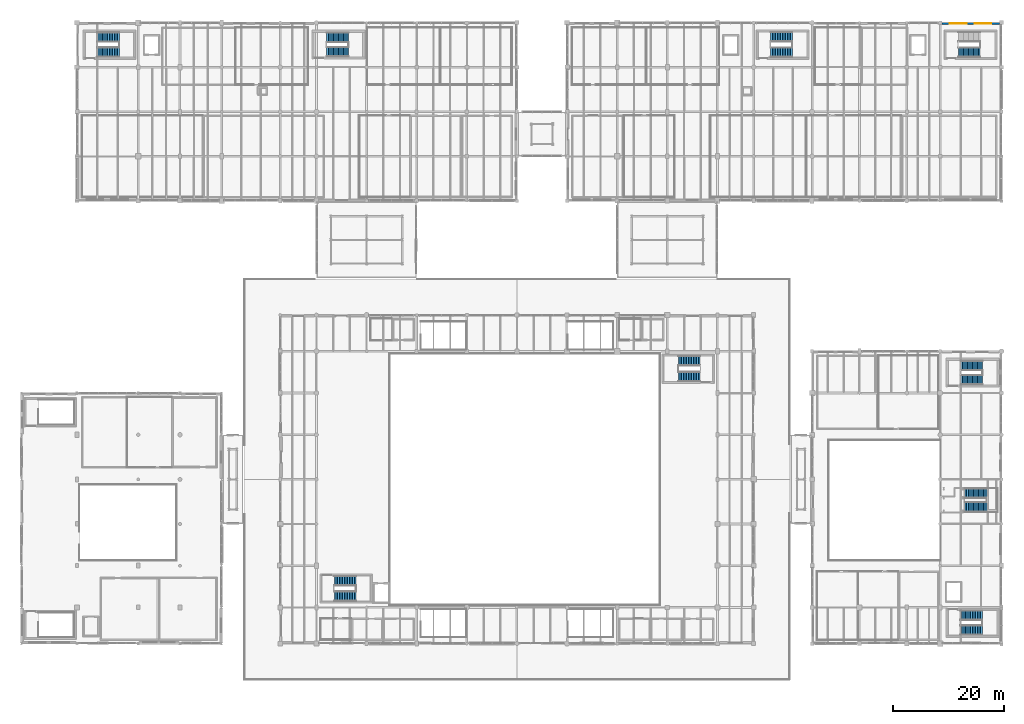
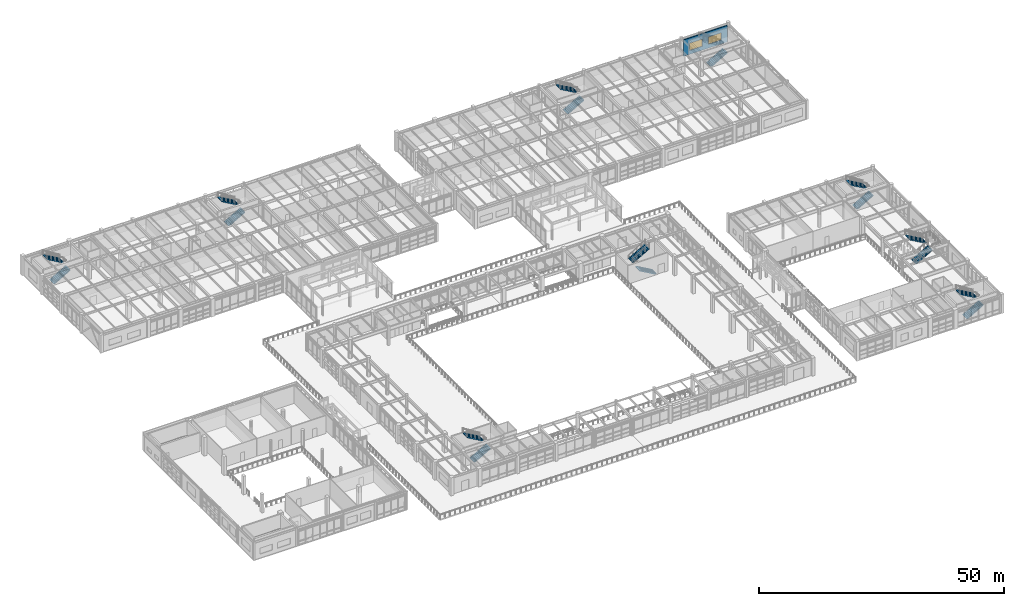
# One storey, part 182 of 200: 17 stair flights, 2 windows, 1 wall, 2 openings, 9 elements without a shape of their own.
"""IFC4 building model written with IfcOpenShell, lengths in metres."""

from ifc_helpers import new_model, si_unit, direction, frame, frame_2d, origin, place, context, subcontext, project, spatial, polyline, rectangle, outline, extrude, material, layer, layer_set, type_object, element, fill, aggregate, save


model = new_model("IFC4")

# Units and contexts
model_context = context("Model", 3, precision=1e-05, world=origin(), true_north=direction((0.0, 1.0)))
body_context = subcontext(model_context, "Body", "Model", "MODEL_VIEW")
ifc_project = project(units=[si_unit("LENGTHUNIT", "METRE"), si_unit("AREAUNIT", "SQUARE_METRE"), si_unit("VOLUMEUNIT", "CUBIC_METRE"), si_unit("PLANEANGLEUNIT", "RADIAN"), si_unit("MASSUNIT", "GRAM", prefix="KILO"), si_unit("THERMODYNAMICTEMPERATUREUNIT", "KELVIN"), si_unit("POWERUNIT", "WATT")], contexts=[model_context])

# Site, building, storey
site_placement = place(None, origin())
site = spatial("IfcSite", under=ifc_project, at=site_placement, CompositionType="ELEMENT")
building_placement = place(site_placement, origin())
building = spatial("IfcBuilding", under=site, at=building_placement, Name="Tepalcoro Natatorium and Aquatics Centre", CompositionType="ELEMENT")
storey_placement = place(building_placement, frame((0.0, 0.0, 5.39990234375)))
storey = spatial("IfcBuildingStorey", under=building, at=storey_placement, Name="L01", CompositionType="ELEMENT", Elevation=5.39990234375)

# Wall, openings, windows
ifc_material_1 = material(Name="Jalisco Cantera Rosa Volcanic Tuff Ashlar Masonry", Category="masonry")
ifc_layer_1 = layer(ifc_material_1, 0.304931640625)
ifc_layer_set_1 = layer_set([ifc_layer_1], Name="Jalisco Cantera Rosa Volcanic Tuff Ashlar Masonry")
wall_type = type_object("IfcWallType", Name="WL_EXT_TERRACOTTA_300", PredefinedType="SOLIDWALL", material=ifc_layer_set_1)
wall_placement = place(storey_placement, frame((165.303955078125, 117.847412109375, 0.0), z_axis=(0.0, 0.0, 1.0), x_axis=(1.0, 0.0, 0.0)))
wall = element("IfcWall", 1, at=wall_placement, inside=storey, type_object=wall_type, Name="V5 L01 N Volcanic Basalt Envelope Wall", PredefinedType="SOLIDWALL", context=body_context, shape_type="SweptSolid", body=[
    extrude(rectangle(XDim=10.342041015625, YDim=0.304931640625, at=frame_2d((5.1708984375, 0.0))), origin(), (0.0, 0.0, 1.0), 4.070068359375),
])
opening_1_placement = place(wall_placement, frame((1.447265625, 0.0, 0.949951171875)))
opening_1 = element("IfcOpeningElement", 2, at=opening_1_placement, cuts=wall, Name="Opening W0094A", PredefinedType="OPENING", context=body_context, shape_type="SweptSolid", body=[
    extrude(rectangle(XDim=3.0, YDim=1.800048828125, at=frame_2d((1.5, 0.89990234375))), frame((0.0, 0.16455078125, 0.0), z_axis=(0.0, -1.0, 0.0), x_axis=(1.0, 0.0, 0.0)), (0.0, 0.0, 1.0), 0.328857421875),
])
opening_2_placement = place(wall_placement, frame((5.894775390625, 0.0, 0.949951171875)))
opening_2 = element("IfcOpeningElement", 3, at=opening_2_placement, cuts=wall, Name="Opening W0094B", PredefinedType="OPENING", context=body_context, shape_type="SweptSolid", body=[
    extrude(rectangle(XDim=3.0, YDim=1.800048828125, at=frame_2d((1.5, 0.89990234375))), frame((0.0, 0.16455078125, 0.0), z_axis=(0.0, -1.0, 0.0), x_axis=(1.0, 0.0, 0.0)), (0.0, 0.0, 1.0), 0.328857421875),
])
ifc_material_2 = material(Name="Solar-Control Bronze Tempered Low-E Double Glazing", Category="glass")
window_type = type_object("IfcWindowType", Name="WN_300x180", PartitioningType="SINGLE_PANEL", PredefinedType="WINDOW", material=ifc_material_2)
window_1_placement = place(opening_1_placement, origin())
window_1 = element("IfcWindow", 4, at=window_1_placement, inside=storey, type_object=window_type, Name="Exterior Thermal Window WN_300x180", OverallHeight=1.800048828125, OverallWidth=3.0, PartitioningType="SINGLE_PANEL", PredefinedType="WINDOW", context=body_context, shape_type="SweptSolid", body=[
    extrude(rectangle(XDim=3.0, YDim=1.800048828125, at=frame_2d((1.5, 0.89990234375))), frame((0.0, 0.030029296875, 0.0), z_axis=(0.0, -1.0, 0.0), x_axis=(1.0, 0.0, 0.0)), (0.0, 0.0, 1.0), 0.06005859375),
])
fill(opening_1, window_1)
window_2_placement = place(opening_2_placement, origin())
window_2 = element("IfcWindow", 5, at=window_2_placement, inside=storey, type_object=window_type, Name="Exterior Thermal Window WN_300x180", OverallHeight=1.800048828125, OverallWidth=3.0, PartitioningType="SINGLE_PANEL", PredefinedType="WINDOW", context=body_context, shape_type="SweptSolid", body=[
    extrude(rectangle(XDim=3.0, YDim=1.800048828125, at=frame_2d((1.5, 0.89990234375))), frame((0.0, 0.030029296875, 0.0), z_axis=(0.0, -1.0, 0.0), x_axis=(1.0, 0.0, 0.0)), (0.0, 0.0, 1.0), 0.06005859375),
])
fill(opening_2, window_2)

# Stair, stair flights
ifc_material_3 = material(Name="Concrete C35/45 (fc 35 MPa)", Category="concrete")
stair_type_1 = type_object("IfcStairType", Name="ST_RC_1800_L03", PredefinedType="HALF_TURN_STAIR", material=ifc_material_3)
stair_1_placement = place(storey_placement, origin())
stair_1 = element("IfcStair", 6, at=stair_1_placement, inside=storey, type_object=stair_type_1, Name="Diving Wing South Fire Stair (L01 to L02)", PredefinedType="HALF_TURN_STAIR")
ifc_layer_2 = layer(ifc_material_3, 0.199951171875)
ifc_layer_set_2 = layer_set([ifc_layer_2], Name="Concrete C35/45 (fc 35 MPa)")
stair_flight_type_1 = type_object("IfcStairFlightType", Name="SF_RC_1800_B1", PredefinedType="STRAIGHT", material=ifc_layer_set_2)
stair_flight_1_placement = place(storey_placement, frame((168.64990234375, 8.889892578125, 0.0), z_axis=(0.0, 0.0, 1.0), x_axis=(1.0, 0.0, 0.0)))
stair_flight_1 = element("IfcStairFlight", 7, at=stair_flight_1_placement, type_object=stair_flight_type_1, Name="Diving Wing South Fire Stair (L01 to L02) Flight 1", NumberOfRisers=14, NumberOfTreads=13, PredefinedType="STRAIGHT", RiserHeight=0.171429, TreadLength=0.3, context=body_context, shape_type="SweptSolid", body=[
    extrude(outline(polyline([(0.0, 0.0), (0.0, 0.17138671875), (0.300048828125, 0.17138671875), (0.300048828125, 0.3427734375), (0.60009765625, 0.3427734375), (0.60009765625, 0.514404296875), (0.89990234375, 0.514404296875), (0.89990234375, 0.685791015625), (1.199951171875, 0.685791015625), (1.199951171875, 0.857177734375), (1.5, 0.857177734375), (1.5, 1.028564453125), (1.800048828125, 1.028564453125), (1.800048828125, 1.199951171875), (2.10009765625, 1.199951171875), (2.10009765625, 1.371337890625), (2.39990234375, 1.371337890625), (2.39990234375, 1.54296875), (2.699951171875, 1.54296875), (2.699951171875, 1.71435546875), (3.0, 1.71435546875), (3.0, 1.8857421875), (3.300048828125, 1.8857421875), (3.300048828125, 2.05712890625), (3.60009765625, 2.05712890625), (3.60009765625, 2.228515625), (3.89990234375, 2.228515625), (3.89990234375, 2.39990234375), (3.89990234375, 1.998291015625), (0.403076171875, 0.0), (0.0, 0.0)])), frame((0.0, 0.89990234375, 0.0), z_axis=(0.0, -1.0, 0.0), x_axis=(1.0, 0.0, 0.0)), (0.0, 0.0, 1.0), 1.800048828125),
])
stair_flight_2_placement = place(storey_placement, frame((172.550048828125, 11.610107421875, 2.400146484375), z_axis=(0.0, 0.0, 1.0), x_axis=(-1.0, 0.0, 0.0)))
stair_flight_2 = element("IfcStairFlight", 8, at=stair_flight_2_placement, type_object=stair_flight_type_1, Name="Diving Wing South Fire Stair (L01 to L02) Flight 2", NumberOfRisers=14, NumberOfTreads=13, PredefinedType="STRAIGHT", RiserHeight=0.171429, TreadLength=0.3, context=body_context, shape_type="SweptSolid", body=[
    extrude(outline(polyline([(0.0, 0.0), (0.0, 0.17138671875), (0.300048828125, 0.17138671875), (0.300048828125, 0.3427734375), (0.60009765625, 0.3427734375), (0.60009765625, 0.514404296875), (0.89990234375, 0.514404296875), (0.89990234375, 0.685791015625), (1.199951171875, 0.685791015625), (1.199951171875, 0.857177734375), (1.5, 0.857177734375), (1.5, 1.028564453125), (1.800048828125, 1.028564453125), (1.800048828125, 1.199951171875), (2.10009765625, 1.199951171875), (2.10009765625, 1.371337890625), (2.39990234375, 1.371337890625), (2.39990234375, 1.54296875), (2.699951171875, 1.54296875), (2.699951171875, 1.71435546875), (3.0, 1.71435546875), (3.0, 1.8857421875), (3.300048828125, 1.8857421875), (3.300048828125, 2.05712890625), (3.60009765625, 2.05712890625), (3.60009765625, 2.228515625), (3.89990234375, 2.228515625), (3.89990234375, 2.39990234375), (3.89990234375, 1.998291015625), (0.403076171875, 0.0), (0.0, 0.0)])), frame((0.0, 0.89990234375, 0.0), z_axis=(0.0, -1.0, 0.0), x_axis=(1.0, 0.0, 0.0)), (0.0, 0.0, 1.0), 1.800048828125),
])
aggregate(stair_1, [stair_flight_1, stair_flight_2])

stair_type_2 = type_object("IfcStairType", Name="ST_RC_1800_L02", PredefinedType="HALF_TURN_STAIR", material=ifc_material_3)
stair_2_placement = place(storey_placement, origin())
stair_2 = element("IfcStair", 9, at=stair_2_placement, inside=storey, type_object=stair_type_2, Name="Training Wing West Fire Stair (L01 to L02)", PredefinedType="HALF_TURN_STAIR")
stair_flight_3_placement = place(storey_placement, frame((13.699951171875, 112.68994140625, 0.0), z_axis=(0.0, 0.0, 1.0), x_axis=(1.0, 0.0, 0.0)))
stair_flight_3 = element("IfcStairFlight", 10, at=stair_flight_3_placement, type_object=stair_flight_type_1, Name="Training Wing West Fire Stair (L01 to L02) Flight 1", NumberOfRisers=14, NumberOfTreads=13, PredefinedType="STRAIGHT", RiserHeight=0.171429, TreadLength=0.3, context=body_context, shape_type="SweptSolid", body=[
    extrude(outline(polyline([(0.0, 0.0), (0.0, 0.17138671875), (0.300048828125, 0.17138671875), (0.300048828125, 0.3427734375), (0.60009765625, 0.3427734375), (0.60009765625, 0.514404296875), (0.89990234375, 0.514404296875), (0.89990234375, 0.685791015625), (1.199951171875, 0.685791015625), (1.199951171875, 0.857177734375), (1.5, 0.857177734375), (1.5, 1.028564453125), (1.800048828125, 1.028564453125), (1.800048828125, 1.199951171875), (2.10009765625, 1.199951171875), (2.10009765625, 1.371337890625), (2.39990234375, 1.371337890625), (2.39990234375, 1.54296875), (2.699951171875, 1.54296875), (2.699951171875, 1.71435546875), (3.0, 1.71435546875), (3.0, 1.8857421875), (3.300048828125, 1.8857421875), (3.300048828125, 2.05712890625), (3.60009765625, 2.05712890625), (3.60009765625, 2.228515625), (3.89990234375, 2.228515625), (3.89990234375, 2.39990234375), (3.89990234375, 1.998291015625), (0.403076171875, 0.0), (0.0, 0.0)])), frame((0.0, 0.89990234375, 0.0), z_axis=(0.0, -1.0, 0.0), x_axis=(1.0, 0.0, 0.0)), (0.0, 0.0, 1.0), 1.800048828125),
])
stair_flight_4_placement = place(storey_placement, frame((17.60009765625, 115.409912109375, 2.400146484375), z_axis=(0.0, 0.0, 1.0), x_axis=(-1.0, 0.0, 0.0)))
stair_flight_4 = element("IfcStairFlight", 11, at=stair_flight_4_placement, type_object=stair_flight_type_1, Name="Training Wing West Fire Stair (L01 to L02) Flight 2", NumberOfRisers=14, NumberOfTreads=13, PredefinedType="STRAIGHT", RiserHeight=0.171429, TreadLength=0.3, context=body_context, shape_type="SweptSolid", body=[
    extrude(outline(polyline([(0.0, 0.0), (0.0, 0.17138671875), (0.300048828125, 0.17138671875), (0.300048828125, 0.3427734375), (0.60009765625, 0.3427734375), (0.60009765625, 0.514404296875), (0.89990234375, 0.514404296875), (0.89990234375, 0.685791015625), (1.199951171875, 0.685791015625), (1.199951171875, 0.857177734375), (1.5, 0.857177734375), (1.5, 1.028564453125), (1.800048828125, 1.028564453125), (1.800048828125, 1.199951171875), (2.10009765625, 1.199951171875), (2.10009765625, 1.371337890625), (2.39990234375, 1.371337890625), (2.39990234375, 1.54296875), (2.699951171875, 1.54296875), (2.699951171875, 1.71435546875), (3.0, 1.71435546875), (3.0, 1.8857421875), (3.300048828125, 1.8857421875), (3.300048828125, 2.05712890625), (3.60009765625, 2.05712890625), (3.60009765625, 2.228515625), (3.89990234375, 2.228515625), (3.89990234375, 2.39990234375), (3.89990234375, 1.998291015625), (0.403076171875, 0.0), (0.0, 0.0)])), frame((0.0, 0.89990234375, 0.0), z_axis=(0.0, -1.0, 0.0), x_axis=(1.0, 0.0, 0.0)), (0.0, 0.0, 1.0), 1.800048828125),
])
aggregate(stair_2, [stair_flight_3, stair_flight_4])

stair_type_3 = type_object("IfcStairType", Name="ST_RC_1800_B1", PredefinedType="HALF_TURN_STAIR", material=ifc_material_3)
stair_3_placement = place(storey_placement, origin())
stair_3 = element("IfcStair", 12, at=stair_3_placement, inside=storey, type_object=stair_type_3, Name="Diving Wing North Fire Stair (L01 to L02)", PredefinedType="HALF_TURN_STAIR")
ifc_layer_3 = layer(ifc_material_3, 0.2099609375)
ifc_layer_set_3 = layer_set([ifc_layer_3], Name="Concrete C35/45 (fc 35 MPa)")
stair_flight_type_2 = type_object("IfcStairFlightType", Name="SF_RC_1800_L00", PredefinedType="STRAIGHT", material=ifc_layer_set_3)
stair_flight_5_placement = place(storey_placement, frame((168.699951171875, 53.840087890625, 0.0), z_axis=(0.0, 0.0, 1.0), x_axis=(1.0, 0.0, 0.0)))
stair_flight_5 = element("IfcStairFlight", 13, at=stair_flight_5_placement, type_object=stair_flight_type_2, Name="Diving Wing North Fire Stair (L01 to L02) Flight 1", NumberOfRisers=14, NumberOfTreads=13, PredefinedType="STRAIGHT", RiserHeight=0.171429, TreadLength=0.3, context=body_context, shape_type="SweptSolid", body=[
    extrude(outline(polyline([(0.0, 0.0), (0.0, 0.17138671875), (0.300048828125, 0.17138671875), (0.300048828125, 0.3427734375), (0.60009765625, 0.3427734375), (0.60009765625, 0.514404296875), (0.89990234375, 0.514404296875), (0.89990234375, 0.685791015625), (1.199951171875, 0.685791015625), (1.199951171875, 0.857177734375), (1.5, 0.857177734375), (1.5, 1.028564453125), (1.800048828125, 1.028564453125), (1.800048828125, 1.199951171875), (2.10009765625, 1.199951171875), (2.10009765625, 1.371337890625), (2.39990234375, 1.371337890625), (2.39990234375, 1.54296875), (2.699951171875, 1.54296875), (2.699951171875, 1.71435546875), (3.0, 1.71435546875), (3.0, 1.8857421875), (3.300048828125, 1.8857421875), (3.300048828125, 2.05712890625), (3.60009765625, 2.05712890625), (3.60009765625, 2.228515625), (3.89990234375, 2.228515625), (3.89990234375, 2.39990234375), (3.89990234375, 1.98681640625), (0.423095703125, 0.0), (0.0, 0.0)])), frame((0.0, 0.89990234375, 0.0), z_axis=(0.0, -1.0, 0.0), x_axis=(1.0, 0.0, 0.0)), (0.0, 0.0, 1.0), 1.800048828125),
])
stair_flight_6_placement = place(storey_placement, frame((172.60009765625, 56.4599609375, 2.400146484375), z_axis=(0.0, 0.0, 1.0), x_axis=(-1.0, 0.0, 0.0)))
stair_flight_6 = element("IfcStairFlight", 14, at=stair_flight_6_placement, type_object=stair_flight_type_2, Name="Diving Wing North Fire Stair (L01 to L02) Flight 2", NumberOfRisers=14, NumberOfTreads=13, PredefinedType="STRAIGHT", RiserHeight=0.171429, TreadLength=0.3, context=body_context, shape_type="SweptSolid", body=[
    extrude(outline(polyline([(0.0, 0.0), (0.0, 0.17138671875), (0.300048828125, 0.17138671875), (0.300048828125, 0.3427734375), (0.60009765625, 0.3427734375), (0.60009765625, 0.514404296875), (0.89990234375, 0.514404296875), (0.89990234375, 0.685791015625), (1.199951171875, 0.685791015625), (1.199951171875, 0.857177734375), (1.5, 0.857177734375), (1.5, 1.028564453125), (1.800048828125, 1.028564453125), (1.800048828125, 1.199951171875), (2.10009765625, 1.199951171875), (2.10009765625, 1.371337890625), (2.39990234375, 1.371337890625), (2.39990234375, 1.54296875), (2.699951171875, 1.54296875), (2.699951171875, 1.71435546875), (3.0, 1.71435546875), (3.0, 1.8857421875), (3.300048828125, 1.8857421875), (3.300048828125, 2.05712890625), (3.60009765625, 2.05712890625), (3.60009765625, 2.228515625), (3.89990234375, 2.228515625), (3.89990234375, 2.39990234375), (3.89990234375, 1.98681640625), (0.423095703125, 0.0), (0.0, 0.0)])), frame((0.0, 0.89990234375, 0.0), z_axis=(0.0, -1.0, 0.0), x_axis=(1.0, 0.0, 0.0)), (0.0, 0.0, 1.0), 1.800048828125),
])
aggregate(stair_3, [stair_flight_5, stair_flight_6])

stair_4_placement = place(storey_placement, origin())
stair_4 = element("IfcStair", 15, at=stair_4_placement, inside=storey, type_object=stair_type_1, Name="Training Wing East Fire Stair (L01 to L02)", PredefinedType="HALF_TURN_STAIR")
stair_flight_7_placement = place(storey_placement, frame((54.85009765625, 112.739990234375, 0.0), z_axis=(0.0, 0.0, 1.0), x_axis=(1.0, 0.0, 0.0)))
stair_flight_7 = element("IfcStairFlight", 16, at=stair_flight_7_placement, type_object=stair_flight_type_2, Name="Training Wing East Fire Stair (L01 to L02) Flight 1", NumberOfRisers=14, NumberOfTreads=13, PredefinedType="STRAIGHT", RiserHeight=0.171429, TreadLength=0.3, context=body_context, shape_type="SweptSolid", body=[
    extrude(outline(polyline([(0.0, 0.0), (0.0, 0.17138671875), (0.300048828125, 0.17138671875), (0.300048828125, 0.3427734375), (0.60009765625, 0.3427734375), (0.60009765625, 0.514404296875), (0.89990234375, 0.514404296875), (0.89990234375, 0.685791015625), (1.199951171875, 0.685791015625), (1.199951171875, 0.857177734375), (1.5, 0.857177734375), (1.5, 1.028564453125), (1.800048828125, 1.028564453125), (1.800048828125, 1.199951171875), (2.10009765625, 1.199951171875), (2.10009765625, 1.371337890625), (2.39990234375, 1.371337890625), (2.39990234375, 1.54296875), (2.699951171875, 1.54296875), (2.699951171875, 1.71435546875), (3.0, 1.71435546875), (3.0, 1.8857421875), (3.300048828125, 1.8857421875), (3.300048828125, 2.05712890625), (3.60009765625, 2.05712890625), (3.60009765625, 2.228515625), (3.89990234375, 2.228515625), (3.89990234375, 2.39990234375), (3.89990234375, 1.98681640625), (0.423095703125, 0.0), (0.0, 0.0)])), frame((0.0, 0.89990234375, 0.0), z_axis=(0.0, -1.0, 0.0), x_axis=(1.0, 0.0, 0.0)), (0.0, 0.0, 1.0), 1.800048828125),
])
stair_flight_8_placement = place(storey_placement, frame((58.75, 115.360107421875, 2.400146484375), z_axis=(0.0, 0.0, 1.0), x_axis=(-1.0, 0.0, 0.0)))
stair_flight_8 = element("IfcStairFlight", 17, at=stair_flight_8_placement, type_object=stair_flight_type_2, Name="Training Wing East Fire Stair (L01 to L02) Flight 2", NumberOfRisers=14, NumberOfTreads=13, PredefinedType="STRAIGHT", RiserHeight=0.171429, TreadLength=0.3, context=body_context, shape_type="SweptSolid", body=[
    extrude(outline(polyline([(0.0, 0.0), (0.0, 0.17138671875), (0.300048828125, 0.17138671875), (0.300048828125, 0.3427734375), (0.60009765625, 0.3427734375), (0.60009765625, 0.514404296875), (0.89990234375, 0.514404296875), (0.89990234375, 0.685791015625), (1.199951171875, 0.685791015625), (1.199951171875, 0.857177734375), (1.5, 0.857177734375), (1.5, 1.028564453125), (1.800048828125, 1.028564453125), (1.800048828125, 1.199951171875), (2.10009765625, 1.199951171875), (2.10009765625, 1.371337890625), (2.39990234375, 1.371337890625), (2.39990234375, 1.54296875), (2.699951171875, 1.54296875), (2.699951171875, 1.71435546875), (3.0, 1.71435546875), (3.0, 1.8857421875), (3.300048828125, 1.8857421875), (3.300048828125, 2.05712890625), (3.60009765625, 2.05712890625), (3.60009765625, 2.228515625), (3.89990234375, 2.228515625), (3.89990234375, 2.39990234375), (3.89990234375, 1.98681640625), (0.423095703125, 0.0), (0.0, 0.0)])), frame((0.0, 0.89990234375, 0.0), z_axis=(0.0, -1.0, 0.0), x_axis=(1.0, 0.0, 0.0)), (0.0, 0.0, 1.0), 1.800048828125),
])
aggregate(stair_4, [stair_flight_7, stair_flight_8])

stair_5_placement = place(storey_placement, origin())
stair_5 = element("IfcStair", 18, at=stair_5_placement, inside=storey, type_object=stair_type_1, Name="Wellness & Broadcast West Fire Stair (L01 to L02)", PredefinedType="HALF_TURN_STAIR")
stair_flight_9_placement = place(storey_placement, frame((134.550048828125, 112.639892578125, 0.0), z_axis=(0.0, 0.0, 1.0), x_axis=(1.0, 0.0, 0.0)))
stair_flight_9 = element("IfcStairFlight", 19, at=stair_flight_9_placement, type_object=stair_flight_type_2, Name="Wellness & Broadcast West Fire Stair (L01 to L02) Flight 1", NumberOfRisers=14, NumberOfTreads=13, PredefinedType="STRAIGHT", RiserHeight=0.171429, TreadLength=0.3, context=body_context, shape_type="SweptSolid", body=[
    extrude(outline(polyline([(0.0, 0.0), (0.0, 0.17138671875), (0.300048828125, 0.17138671875), (0.300048828125, 0.3427734375), (0.60009765625, 0.3427734375), (0.60009765625, 0.514404296875), (0.89990234375, 0.514404296875), (0.89990234375, 0.685791015625), (1.199951171875, 0.685791015625), (1.199951171875, 0.857177734375), (1.5, 0.857177734375), (1.5, 1.028564453125), (1.800048828125, 1.028564453125), (1.800048828125, 1.199951171875), (2.10009765625, 1.199951171875), (2.10009765625, 1.371337890625), (2.39990234375, 1.371337890625), (2.39990234375, 1.54296875), (2.699951171875, 1.54296875), (2.699951171875, 1.71435546875), (3.0, 1.71435546875), (3.0, 1.8857421875), (3.300048828125, 1.8857421875), (3.300048828125, 2.05712890625), (3.60009765625, 2.05712890625), (3.60009765625, 2.228515625), (3.89990234375, 2.228515625), (3.89990234375, 2.39990234375), (3.89990234375, 1.98681640625), (0.423095703125, 0.0), (0.0, 0.0)])), frame((0.0, 0.89990234375, 0.0), z_axis=(0.0, -1.0, 0.0), x_axis=(1.0, 0.0, 0.0)), (0.0, 0.0, 1.0), 1.800048828125),
])
stair_flight_10_placement = place(storey_placement, frame((138.449951171875, 115.4599609375, 2.400146484375), z_axis=(0.0, 0.0, 1.0), x_axis=(-1.0, 0.0, 0.0)))
stair_flight_10 = element("IfcStairFlight", 20, at=stair_flight_10_placement, type_object=stair_flight_type_2, Name="Wellness & Broadcast West Fire Stair (L01 to L02) Flight 2", NumberOfRisers=14, NumberOfTreads=13, PredefinedType="STRAIGHT", RiserHeight=0.171429, TreadLength=0.3, context=body_context, shape_type="SweptSolid", body=[
    extrude(outline(polyline([(0.0, 0.0), (0.0, 0.17138671875), (0.300048828125, 0.17138671875), (0.300048828125, 0.3427734375), (0.60009765625, 0.3427734375), (0.60009765625, 0.514404296875), (0.89990234375, 0.514404296875), (0.89990234375, 0.685791015625), (1.199951171875, 0.685791015625), (1.199951171875, 0.857177734375), (1.5, 0.857177734375), (1.5, 1.028564453125), (1.800048828125, 1.028564453125), (1.800048828125, 1.199951171875), (2.10009765625, 1.199951171875), (2.10009765625, 1.371337890625), (2.39990234375, 1.371337890625), (2.39990234375, 1.54296875), (2.699951171875, 1.54296875), (2.699951171875, 1.71435546875), (3.0, 1.71435546875), (3.0, 1.8857421875), (3.300048828125, 1.8857421875), (3.300048828125, 2.05712890625), (3.60009765625, 2.05712890625), (3.60009765625, 2.228515625), (3.89990234375, 2.228515625), (3.89990234375, 2.39990234375), (3.89990234375, 1.98681640625), (0.423095703125, 0.0), (0.0, 0.0)])), frame((0.0, 0.89990234375, 0.0), z_axis=(0.0, -1.0, 0.0), x_axis=(1.0, 0.0, 0.0)), (0.0, 0.0, 1.0), 1.800048828125),
])
aggregate(stair_5, [stair_flight_9, stair_flight_10])

stair_type_4 = type_object("IfcStairType", Name="ST_RC_1800_L01", PredefinedType="HALF_TURN_STAIR", material=ifc_material_3)
stair_6_placement = place(storey_placement, origin())
stair_6 = element("IfcStair", 21, at=stair_6_placement, inside=storey, type_object=stair_type_4, Name="Natatorium West Fire Stair (L01 to L02)", PredefinedType="HALF_TURN_STAIR")
ifc_layer_4 = layer(ifc_material_3, 0.219970703125)
ifc_layer_set_4 = layer_set([ifc_layer_4], Name="Concrete C35/45 (fc 35 MPa)")
stair_flight_type_3 = type_object("IfcStairFlightType", Name="SF_RC_1800_L01", PredefinedType="STRAIGHT", material=ifc_layer_set_4)
stair_flight_11_placement = place(storey_placement, frame((56.199951171875, 14.989990234375, 0.0), z_axis=(0.0, 0.0, 1.0), x_axis=(1.0, 0.0, 0.0)))
stair_flight_11 = element("IfcStairFlight", 22, at=stair_flight_11_placement, type_object=stair_flight_type_3, Name="Natatorium West Fire Stair (L01 to L02) Flight 1", NumberOfRisers=14, NumberOfTreads=13, PredefinedType="STRAIGHT", RiserHeight=0.171429, TreadLength=0.3, context=body_context, shape_type="SweptSolid", body=[
    extrude(outline(polyline([(0.0, 0.0), (0.0, 0.17138671875), (0.300048828125, 0.17138671875), (0.300048828125, 0.3427734375), (0.60009765625, 0.3427734375), (0.60009765625, 0.514404296875), (0.89990234375, 0.514404296875), (0.89990234375, 0.685791015625), (1.199951171875, 0.685791015625), (1.199951171875, 0.857177734375), (1.5, 0.857177734375), (1.5, 1.028564453125), (1.800048828125, 1.028564453125), (1.800048828125, 1.199951171875), (2.10009765625, 1.199951171875), (2.10009765625, 1.371337890625), (2.39990234375, 1.371337890625), (2.39990234375, 1.54296875), (2.699951171875, 1.54296875), (2.699951171875, 1.71435546875), (3.0, 1.71435546875), (3.0, 1.8857421875), (3.300048828125, 1.8857421875), (3.300048828125, 2.05712890625), (3.60009765625, 2.05712890625), (3.60009765625, 2.228515625), (3.89990234375, 2.228515625), (3.89990234375, 2.39990234375), (3.89990234375, 1.975341796875), (0.443359375, 0.0), (0.0, 0.0)])), frame((0.0, 0.89990234375, 0.0), z_axis=(0.0, -1.0, 0.0), x_axis=(1.0, 0.0, 0.0)), (0.0, 0.0, 1.0), 1.800048828125),
])
stair_flight_12_placement = place(storey_placement, frame((60.10009765625, 17.81005859375, 2.400146484375), z_axis=(0.0, 0.0, 1.0), x_axis=(-1.0, 0.0, 0.0)))
stair_flight_12 = element("IfcStairFlight", 23, at=stair_flight_12_placement, type_object=stair_flight_type_3, Name="Natatorium West Fire Stair (L01 to L02) Flight 2", NumberOfRisers=14, NumberOfTreads=13, PredefinedType="STRAIGHT", RiserHeight=0.171429, TreadLength=0.3, context=body_context, shape_type="SweptSolid", body=[
    extrude(outline(polyline([(0.0, 0.0), (0.0, 0.17138671875), (0.300048828125, 0.17138671875), (0.300048828125, 0.3427734375), (0.60009765625, 0.3427734375), (0.60009765625, 0.514404296875), (0.89990234375, 0.514404296875), (0.89990234375, 0.685791015625), (1.199951171875, 0.685791015625), (1.199951171875, 0.857177734375), (1.5, 0.857177734375), (1.5, 1.028564453125), (1.800048828125, 1.028564453125), (1.800048828125, 1.199951171875), (2.10009765625, 1.199951171875), (2.10009765625, 1.371337890625), (2.39990234375, 1.371337890625), (2.39990234375, 1.54296875), (2.699951171875, 1.54296875), (2.699951171875, 1.71435546875), (3.0, 1.71435546875), (3.0, 1.8857421875), (3.300048828125, 1.8857421875), (3.300048828125, 2.05712890625), (3.60009765625, 2.05712890625), (3.60009765625, 2.228515625), (3.89990234375, 2.228515625), (3.89990234375, 2.39990234375), (3.89990234375, 1.975341796875), (0.443359375, 0.0), (0.0, 0.0)])), frame((0.0, 0.89990234375, 0.0), z_axis=(0.0, -1.0, 0.0), x_axis=(1.0, 0.0, 0.0)), (0.0, 0.0, 1.0), 1.800048828125),
])
aggregate(stair_6, [stair_flight_11, stair_flight_12])

# Stair, stair flight
stair_7_placement = place(storey_placement, origin())
stair_7 = element("IfcStair", 24, at=stair_7_placement, inside=storey, type_object=stair_type_3, Name="Wellness & Broadcast East Fire Stair (L01 to L02)", PredefinedType="HALF_TURN_STAIR")
stair_flight_13_placement = place(storey_placement, frame((168.280029296875, 112.6201171875, 0.0), z_axis=(0.0, 0.0, 1.0), x_axis=(1.0, 0.0, 0.0)))
stair_flight_13 = element("IfcStairFlight", 25, at=stair_flight_13_placement, type_object=stair_flight_type_3, Name="Wellness & Broadcast East Fire Stair (L01 to L02) Flight 1", NumberOfRisers=14, NumberOfTreads=13, PredefinedType="STRAIGHT", RiserHeight=0.171429, TreadLength=0.3, context=body_context, shape_type="SweptSolid", body=[
    extrude(outline(polyline([(0.0, 0.0), (0.0, 0.17138671875), (0.300048828125, 0.17138671875), (0.300048828125, 0.3427734375), (0.60009765625, 0.3427734375), (0.60009765625, 0.514404296875), (0.89990234375, 0.514404296875), (0.89990234375, 0.685791015625), (1.199951171875, 0.685791015625), (1.199951171875, 0.857177734375), (1.5, 0.857177734375), (1.5, 1.028564453125), (1.800048828125, 1.028564453125), (1.800048828125, 1.199951171875), (2.10009765625, 1.199951171875), (2.10009765625, 1.371337890625), (2.39990234375, 1.371337890625), (2.39990234375, 1.54296875), (2.699951171875, 1.54296875), (2.699951171875, 1.71435546875), (3.0, 1.71435546875), (3.0, 1.8857421875), (3.300048828125, 1.8857421875), (3.300048828125, 2.05712890625), (3.60009765625, 2.05712890625), (3.60009765625, 2.228515625), (3.89990234375, 2.228515625), (3.89990234375, 2.39990234375), (3.89990234375, 1.975341796875), (0.443359375, 0.0), (0.0, 0.0)])), frame((0.0, 0.89990234375, 0.0), z_axis=(0.0, -1.0, 0.0), x_axis=(1.0, 0.0, 0.0)), (0.0, 0.0, 1.0), 1.800048828125),
])
aggregate(stair_7, [stair_flight_13])

# Stair, stair flights
stair_8_placement = place(storey_placement, origin())
stair_8 = element("IfcStair", 26, at=stair_8_placement, inside=storey, type_object=stair_type_2, Name="Natatorium East Fire Stair (L01 to L02)", PredefinedType="HALF_TURN_STAIR")
ifc_layer_5 = layer(ifc_material_3, 0.18994140625)
ifc_layer_set_5 = layer_set([ifc_layer_5], Name="Concrete C35/45 (fc 35 MPa)")
stair_flight_type_4 = type_object("IfcStairFlightType", Name="SF_RC_1800_L02", PredefinedType="STRAIGHT", material=ifc_layer_set_5)
stair_flight_14_placement = place(storey_placement, frame((121.8701171875, 54.419921875, 0.0), z_axis=(0.0, 0.0, 1.0), x_axis=(-1.0, 0.0, 0.0)))
stair_flight_14 = element("IfcStairFlight", 27, at=stair_flight_14_placement, type_object=stair_flight_type_4, Name="Natatorium East Fire Stair (L01 to L02) Flight 1", NumberOfRisers=14, NumberOfTreads=13, PredefinedType="STRAIGHT", RiserHeight=0.171429, TreadLength=0.3, context=body_context, shape_type="SweptSolid", body=[
    extrude(outline(polyline([(0.0, 0.0), (0.0, 0.17138671875), (0.300048828125, 0.17138671875), (0.300048828125, 0.3427734375), (0.60009765625, 0.3427734375), (0.60009765625, 0.514404296875), (0.89990234375, 0.514404296875), (0.89990234375, 0.685791015625), (1.199951171875, 0.685791015625), (1.199951171875, 0.857177734375), (1.5, 0.857177734375), (1.5, 1.028564453125), (1.800048828125, 1.028564453125), (1.800048828125, 1.199951171875), (2.10009765625, 1.199951171875), (2.10009765625, 1.371337890625), (2.39990234375, 1.371337890625), (2.39990234375, 1.54296875), (2.699951171875, 1.54296875), (2.699951171875, 1.71435546875), (3.0, 1.71435546875), (3.0, 1.8857421875), (3.300048828125, 1.8857421875), (3.300048828125, 2.05712890625), (3.60009765625, 2.05712890625), (3.60009765625, 2.228515625), (3.89990234375, 2.228515625), (3.89990234375, 2.39990234375), (3.89990234375, 2.009765625), (0.3828125, 0.0), (0.0, 0.0)])), frame((0.0, 0.89990234375, 0.0), z_axis=(0.0, -1.0, 0.0), x_axis=(1.0, 0.0, 0.0)), (0.0, 0.0, 1.0), 1.800048828125),
])
stair_flight_15_placement = place(storey_placement, frame((117.969970703125, 57.280029296875, 2.400146484375), z_axis=(0.0, 0.0, 1.0), x_axis=(1.0, 0.0, 0.0)))
stair_flight_15 = element("IfcStairFlight", 28, at=stair_flight_15_placement, type_object=stair_flight_type_4, Name="Natatorium East Fire Stair (L01 to L02) Flight 2", NumberOfRisers=14, NumberOfTreads=13, PredefinedType="STRAIGHT", RiserHeight=0.171429, TreadLength=0.3, context=body_context, shape_type="SweptSolid", body=[
    extrude(outline(polyline([(0.0, 0.0), (0.0, 0.17138671875), (0.300048828125, 0.17138671875), (0.300048828125, 0.3427734375), (0.60009765625, 0.3427734375), (0.60009765625, 0.514404296875), (0.89990234375, 0.514404296875), (0.89990234375, 0.685791015625), (1.199951171875, 0.685791015625), (1.199951171875, 0.857177734375), (1.5, 0.857177734375), (1.5, 1.028564453125), (1.800048828125, 1.028564453125), (1.800048828125, 1.199951171875), (2.10009765625, 1.199951171875), (2.10009765625, 1.371337890625), (2.39990234375, 1.371337890625), (2.39990234375, 1.54296875), (2.699951171875, 1.54296875), (2.699951171875, 1.71435546875), (3.0, 1.71435546875), (3.0, 1.8857421875), (3.300048828125, 1.8857421875), (3.300048828125, 2.05712890625), (3.60009765625, 2.05712890625), (3.60009765625, 2.228515625), (3.89990234375, 2.228515625), (3.89990234375, 2.39990234375), (3.89990234375, 2.009765625), (0.3828125, 0.0), (0.0, 0.0)])), frame((0.0, 0.89990234375, 0.0), z_axis=(0.0, -1.0, 0.0), x_axis=(1.0, 0.0, 0.0)), (0.0, 0.0, 1.0), 1.800048828125),
])
aggregate(stair_8, [stair_flight_14, stair_flight_15])

stair_type_5 = type_object("IfcStairType", Name="ST_ST_1800_VOM1", PredefinedType="STRAIGHT_RUN_STAIR", material=ifc_material_3)
stair_9_placement = place(storey_placement, origin())
stair_9 = element("IfcStair", 29, at=stair_9_placement, inside=storey, type_object=stair_type_5, Name="Diving Platform Tower Stair", PredefinedType="STRAIGHT_RUN_STAIR")
ifc_layer_6 = layer(ifc_material_3, 0.179931640625)
ifc_layer_set_6 = layer_set([ifc_layer_6], Name="Concrete C35/45 (fc 35 MPa)")
stair_flight_type_5 = type_object("IfcStairFlightType", Name="SF_ST_1800_VOM", PredefinedType="STRAIGHT", material=ifc_layer_set_6)
stair_flight_16_placement = place(storey_placement, frame((169.4599609375, 31.010009765625, 0.0), z_axis=(0.0, 0.0, 1.0), x_axis=(1.0, 0.0, 0.0)))
stair_flight_16 = element("IfcStairFlight", 30, at=stair_flight_16_placement, type_object=stair_flight_type_5, Name="Diving Platform Tower Stair Flight 1", NumberOfRisers=14, NumberOfTreads=13, PredefinedType="STRAIGHT", RiserHeight=0.171429, TreadLength=0.3, context=body_context, shape_type="SweptSolid", body=[
    extrude(outline(polyline([(0.0, 0.0), (0.0, 0.17138671875), (0.300048828125, 0.17138671875), (0.300048828125, 0.3427734375), (0.60009765625, 0.3427734375), (0.60009765625, 0.514404296875), (0.89990234375, 0.514404296875), (0.89990234375, 0.685791015625), (1.199951171875, 0.685791015625), (1.199951171875, 0.857177734375), (1.5, 0.857177734375), (1.5, 1.028564453125), (1.800048828125, 1.028564453125), (1.800048828125, 1.199951171875), (2.10009765625, 1.199951171875), (2.10009765625, 1.371337890625), (2.39990234375, 1.371337890625), (2.39990234375, 1.54296875), (2.699951171875, 1.54296875), (2.699951171875, 1.71435546875), (3.0, 1.71435546875), (3.0, 1.8857421875), (3.300048828125, 1.8857421875), (3.300048828125, 2.05712890625), (3.60009765625, 2.05712890625), (3.60009765625, 2.228515625), (3.89990234375, 2.228515625), (3.89990234375, 2.39990234375), (3.89990234375, 2.021240234375), (0.362548828125, 0.0), (0.0, 0.0)])), frame((0.0, 0.89990234375, 0.0), z_axis=(0.0, -1.0, 0.0), x_axis=(1.0, 0.0, 0.0)), (0.0, 0.0, 1.0), 1.800048828125),
])
stair_flight_17_placement = place(storey_placement, frame((173.360107421875, 33.489990234375, 2.400146484375), z_axis=(0.0, 0.0, 1.0), x_axis=(-1.0, 0.0, 0.0)))
stair_flight_17 = element("IfcStairFlight", 31, at=stair_flight_17_placement, type_object=stair_flight_type_5, Name="Diving Platform Tower Stair Flight 2", NumberOfRisers=14, NumberOfTreads=13, PredefinedType="STRAIGHT", RiserHeight=0.171429, TreadLength=0.3, context=body_context, shape_type="SweptSolid", body=[
    extrude(outline(polyline([(0.0, 0.0), (0.0, 0.17138671875), (0.300048828125, 0.17138671875), (0.300048828125, 0.3427734375), (0.60009765625, 0.3427734375), (0.60009765625, 0.514404296875), (0.89990234375, 0.514404296875), (0.89990234375, 0.685791015625), (1.199951171875, 0.685791015625), (1.199951171875, 0.857177734375), (1.5, 0.857177734375), (1.5, 1.028564453125), (1.800048828125, 1.028564453125), (1.800048828125, 1.199951171875), (2.10009765625, 1.199951171875), (2.10009765625, 1.371337890625), (2.39990234375, 1.371337890625), (2.39990234375, 1.54296875), (2.699951171875, 1.54296875), (2.699951171875, 1.71435546875), (3.0, 1.71435546875), (3.0, 1.8857421875), (3.300048828125, 1.8857421875), (3.300048828125, 2.05712890625), (3.60009765625, 2.05712890625), (3.60009765625, 2.228515625), (3.89990234375, 2.228515625), (3.89990234375, 2.39990234375), (3.89990234375, 2.021240234375), (0.362548828125, 0.0), (0.0, 0.0)])), frame((0.0, 0.89990234375, 0.0), z_axis=(0.0, -1.0, 0.0), x_axis=(1.0, 0.0, 0.0)), (0.0, 0.0, 1.0), 1.800048828125),
])
aggregate(stair_9, [stair_flight_16, stair_flight_17])

save(model, "model.ifc")
